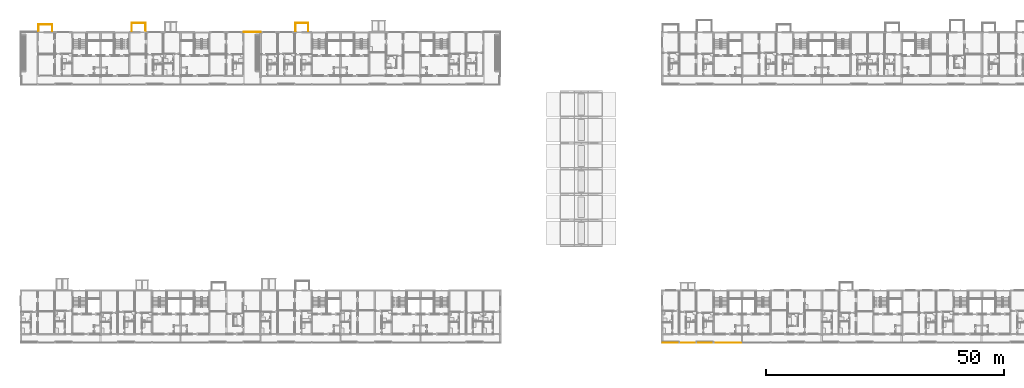
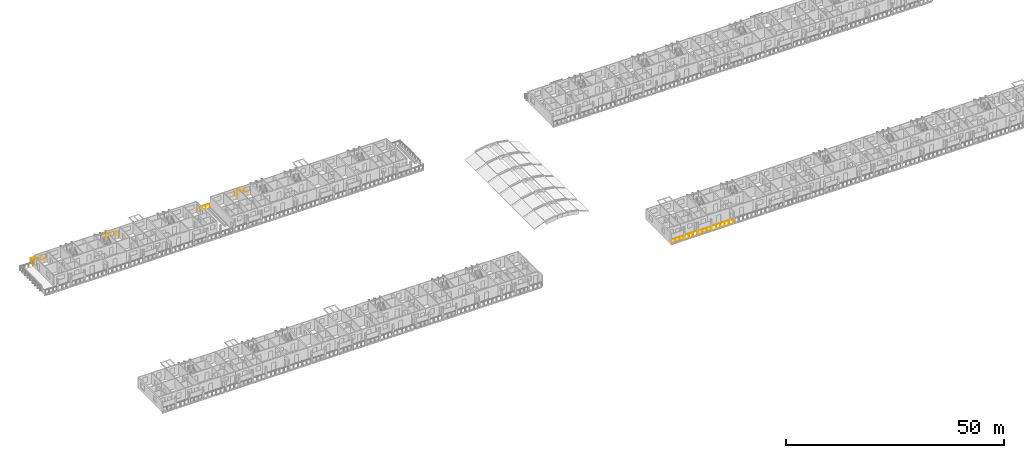
# One storey, part 81 of 93: 8 railings.
"""IFC4 building model written with IfcOpenShell, lengths in metres."""

from ifc_helpers import new_model, si_unit, direction, frame, origin, origin_2d, place, context, subcontext, project, spatial, circle, extrude, material, type_object, element, save


model = new_model("IFC4")

# Units and contexts
model_context = context("Model", 3, precision=1e-05, world=origin(), true_north=direction((0.0, 1.0)))
body_context = subcontext(model_context, "Body", "Model", "MODEL_VIEW")
ifc_project = project(units=[si_unit("LENGTHUNIT", "METRE"), si_unit("AREAUNIT", "SQUARE_METRE"), si_unit("VOLUMEUNIT", "CUBIC_METRE"), si_unit("PLANEANGLEUNIT", "RADIAN"), si_unit("MASSUNIT", "GRAM", prefix="KILO")], contexts=[model_context])

# Site, building, storey
site_placement = place(None, origin())
site = spatial("IfcSite", under=ifc_project, at=site_placement, CompositionType="ELEMENT")
building_placement = place(site_placement, origin())
building = spatial("IfcBuilding", under=site, at=building_placement, Name="Ridgestep Commons", CompositionType="ELEMENT")
storey_placement = place(building_placement, frame((0.0, 0.0, 18.0)))
storey = spatial("IfcBuildingStorey", under=building, at=storey_placement, Name="L06", CompositionType="ELEMENT", Elevation=18.0)

# Railings
ifc_material_1 = material(Name="Structural steel S355JR", Category="steel")
railing_type_1 = type_object("IfcRailingType", Name="Guard 1100", PredefinedType="GUARDRAIL", material=ifc_material_1)
railing_1_placement = place(storey_placement, frame((62.39990234375, 77.125, 0.0)))
element("IfcRailing", 1, at=railing_1_placement, inside=storey, type_object=railing_type_1, Name="Guard TD-B3R1-GD", PredefinedType="GUARDRAIL", context=body_context, shape_type="SweptSolid", body=[
    extrude(circle(Radius=0.02392578125, at=origin_2d()), frame((0.0, 0.0, 1.076171875), z_axis=(-1.0, 0.0, 0.0), x_axis=(0.0, -1.0, 0.0)), (0.0, 0.0, 1.0), 3.47900390625),
    extrude(circle(Radius=0.02099609375, at=origin_2d()), origin(), (0.0, 0.0, 1.0), 1.052001953125),
    extrude(circle(Radius=0.02099609375, at=origin_2d()), frame((-1.15966796875, 0.0, 0.0)), (0.0, 0.0, 1.0), 1.052001953125),
    extrude(circle(Radius=0.02099609375, at=origin_2d()), frame((-2.3193359375, 0.0, 0.0)), (0.0, 0.0, 1.0), 1.052001953125),
    extrude(circle(Radius=0.02099609375, at=origin_2d()), frame((-3.47900390625, 0.0, 0.0)), (0.0, 0.0, 1.0), 1.052001953125),
])
railing_2_placement = place(storey_placement, frame((146.970947265625, 11.800048828125, 0.0)))
element("IfcRailing", 2, at=railing_2_placement, inside=storey, type_object=railing_type_1, Name="Gallery guard D 06.1", PredefinedType="GUARDRAIL", context=body_context, shape_type="SweptSolid", body=[
    extrude(circle(Radius=0.02392578125, at=origin_2d()), frame((0.0, 0.0, 1.076171875), z_axis=(1.0, 0.0, 0.0), x_axis=(0.0, 1.0, 0.0)), (0.0, 0.0, 1.0), 3.282958984375),
    extrude(circle(Radius=0.02099609375, at=origin_2d()), origin(), (0.0, 0.0, 1.0), 1.052001953125),
    extrude(circle(Radius=0.02099609375, at=origin_2d()), frame((1.09423828125, 0.0, 0.0)), (0.0, 0.0, 1.0), 1.052001953125),
    extrude(circle(Radius=0.02099609375, at=origin_2d()), frame((2.188720703125, 0.0, 0.0)), (0.0, 0.0, 1.0), 1.052001953125),
    extrude(circle(Radius=0.02099609375, at=origin_2d()), frame((3.282958984375, 0.0, 0.0)), (0.0, 0.0, 1.0), 1.052001953125),
])
for number, where, name in (
    (3, (150.5458984375, 11.800048828125, 0.0), "Gallery guard D 06.2"),
    (4, (154.14599609375, 11.800048828125, 0.0), "Gallery guard D 06.3"),
):
    element("IfcRailing", number, at=place(storey_placement, frame(where)), inside=storey, type_object=railing_type_1, Name=name, PredefinedType="GUARDRAIL", context=body_context, shape_type="SweptSolid", body=[
        extrude(circle(Radius=0.02392578125, at=origin_2d()), frame((0.0, 0.0, 1.076171875), z_axis=(1.0, 0.0, 0.0), x_axis=(0.0, 1.0, 0.0)), (0.0, 0.0, 1.0), 3.30810546875),
        extrude(circle(Radius=0.02099609375, at=origin_2d()), origin(), (0.0, 0.0, 1.0), 1.052001953125),
        extrude(circle(Radius=0.02099609375, at=origin_2d()), frame((1.102783203125, 0.0, 0.0)), (0.0, 0.0, 1.0), 1.052001953125),
        extrude(circle(Radius=0.02099609375, at=origin_2d()), frame((2.205322265625, 0.0, 0.0)), (0.0, 0.0, 1.0), 1.052001953125),
        extrude(circle(Radius=0.02099609375, at=origin_2d()), frame((3.30810546875, 0.0, 0.0)), (0.0, 0.0, 1.0), 1.052001953125),
    ])
railing_3_placement = place(storey_placement, frame((157.74609375, 11.800048828125, 0.0)))
element("IfcRailing", 5, at=railing_3_placement, inside=storey, type_object=railing_type_1, Name="Gallery guard D 06.4", PredefinedType="GUARDRAIL", context=body_context, shape_type="SweptSolid", body=[
    extrude(circle(Radius=0.02392578125, at=origin_2d()), frame((0.0, 0.0, 1.076171875), z_axis=(1.0, 0.0, 0.0), x_axis=(0.0, 1.0, 0.0)), (0.0, 0.0, 1.0), 5.682861328125),
    extrude(circle(Radius=0.02099609375, at=origin_2d()), origin(), (0.0, 0.0, 1.0), 1.052001953125),
    extrude(circle(Radius=0.02099609375, at=origin_2d()), frame((1.136474609375, 0.0, 0.0)), (0.0, 0.0, 1.0), 1.052001953125),
    extrude(circle(Radius=0.02099609375, at=origin_2d()), frame((2.273193359375, 0.0, 0.0)), (0.0, 0.0, 1.0), 1.052001953125),
    extrude(circle(Radius=0.02099609375, at=origin_2d()), frame((3.40966796875, 0.0, 0.0)), (0.0, 0.0, 1.0), 1.052001953125),
    extrude(circle(Radius=0.02099609375, at=origin_2d()), frame((4.54638671875, 0.0, 0.0)), (0.0, 0.0, 1.0), 1.052001953125),
    extrude(circle(Radius=0.02099609375, at=origin_2d()), frame((5.682861328125, 0.0, 0.0)), (0.0, 0.0, 1.0), 1.052001953125),
])
ifc_material_2 = material(Name="Weathering steel S355J2W", Category="steel")
railing_type_2 = type_object("IfcRailingType", Name="Tray guard 1100", PredefinedType="GUARDRAIL", material=ifc_material_2)
railing_4_placement = place(storey_placement, frame((15.7509765625, 77.27099609375, 0.0)))
element("IfcRailing", 6, at=railing_4_placement, inside=storey, type_object=railing_type_2, Name="Tray guard B1T2-06", PredefinedType="GUARDRAIL", context=body_context, shape_type="SweptSolid", body=[
    extrude(circle(Radius=0.02392578125, at=origin_2d()), frame((0.0, 0.0, 1.076171875), z_axis=(0.0, 1.0, 0.0), x_axis=(-1.0, 0.0, 0.0)), (0.0, 0.0, 1.0), 1.4580078125),
    extrude(circle(Radius=0.02392578125, at=origin_2d()), frame((0.0, 1.4580078125, 1.076171875), z_axis=(1.0, 0.0, 0.0), x_axis=(0.0, 1.0, 0.0)), (0.0, 0.0, 1.0), 2.89794921875),
    extrude(circle(Radius=0.02392578125, at=origin_2d()), frame((2.89794921875, 1.4580078125, 1.076171875), z_axis=(0.0, -1.0, 0.0), x_axis=(1.0, 0.0, 0.0)), (0.0, 0.0, 1.0), 1.4580078125),
    extrude(circle(Radius=0.02099609375, at=origin_2d()), origin(), (0.0, 0.0, 1.0), 1.052001953125),
    extrude(circle(Radius=0.02099609375, at=origin_2d()), frame((0.0, 0.72900390625, 0.0)), (0.0, 0.0, 1.0), 1.052001953125),
    extrude(circle(Radius=0.02099609375, at=origin_2d()), frame((0.0, 1.4580078125, 0.0)), (0.0, 0.0, 1.0), 1.052001953125),
    extrude(circle(Radius=0.02099609375, at=origin_2d()), frame((0.966064453125, 1.4580078125, 0.0)), (0.0, 0.0, 1.0), 1.052001953125),
    extrude(circle(Radius=0.02099609375, at=origin_2d()), frame((1.931884765625, 1.4580078125, 0.0)), (0.0, 0.0, 1.0), 1.052001953125),
    extrude(circle(Radius=0.02099609375, at=origin_2d()), frame((2.89794921875, 1.4580078125, 0.0)), (0.0, 0.0, 1.0), 1.052001953125),
    extrude(circle(Radius=0.02099609375, at=origin_2d()), frame((2.89794921875, 0.72900390625, 0.0)), (0.0, 0.0, 1.0), 1.052001953125),
    extrude(circle(Radius=0.02099609375, at=origin_2d()), frame((2.89794921875, 0.0, 0.0)), (0.0, 0.0, 1.0), 1.052001953125),
])
railing_5_placement = place(storey_placement, frame((69.7509765625, 77.27099609375, 0.0)))
element("IfcRailing", 7, at=railing_5_placement, inside=storey, type_object=railing_type_2, Name="Tray guard B4T3-06", PredefinedType="GUARDRAIL", context=body_context, shape_type="SweptSolid", body=[
    extrude(circle(Radius=0.02392578125, at=origin_2d()), frame((0.0, 0.0, 1.076171875), z_axis=(0.0, 1.0, 0.0), x_axis=(-1.0, 0.0, 0.0)), (0.0, 0.0, 1.0), 1.758056640625),
    extrude(circle(Radius=0.02392578125, at=origin_2d()), frame((0.0, 1.758056640625, 1.076171875), z_axis=(1.0, 0.0, 0.0), x_axis=(0.0, 1.0, 0.0)), (0.0, 0.0, 1.0), 2.697998046875),
    extrude(circle(Radius=0.02392578125, at=origin_2d()), frame((2.697998046875, 1.758056640625, 1.076171875), z_axis=(0.0, -1.0, 0.0), x_axis=(1.0, 0.0, 0.0)), (0.0, 0.0, 1.0), 1.758056640625),
    extrude(circle(Radius=0.02099609375, at=origin_2d()), origin(), (0.0, 0.0, 1.0), 1.052001953125),
    extrude(circle(Radius=0.02099609375, at=origin_2d()), frame((0.0, 0.87890625, 0.0)), (0.0, 0.0, 1.0), 1.052001953125),
    extrude(circle(Radius=0.02099609375, at=origin_2d()), frame((0.0, 1.758056640625, 0.0)), (0.0, 0.0, 1.0), 1.052001953125),
    extrude(circle(Radius=0.02099609375, at=origin_2d()), frame((0.8994140625, 1.758056640625, 0.0)), (0.0, 0.0, 1.0), 1.052001953125),
    extrude(circle(Radius=0.02099609375, at=origin_2d()), frame((1.798583984375, 1.758056640625, 0.0)), (0.0, 0.0, 1.0), 1.052001953125),
    extrude(circle(Radius=0.02099609375, at=origin_2d()), frame((2.697998046875, 1.758056640625, 0.0)), (0.0, 0.0, 1.0), 1.052001953125),
    extrude(circle(Radius=0.02099609375, at=origin_2d()), frame((2.697998046875, 0.87890625, 0.0)), (0.0, 0.0, 1.0), 1.052001953125),
    extrude(circle(Radius=0.02099609375, at=origin_2d()), frame((2.697998046875, 0.0, 0.0)), (0.0, 0.0, 1.0), 1.052001953125),
])
railing_6_placement = place(storey_placement, frame((35.35107421875, 77.27099609375, 0.0)))
element("IfcRailing", 8, at=railing_6_placement, inside=storey, type_object=railing_type_2, Name="Tray guard B2T3-06", PredefinedType="GUARDRAIL", context=body_context, shape_type="SweptSolid", body=[
    extrude(circle(Radius=0.02392578125, at=origin_2d()), frame((0.0, 0.0, 1.076171875), z_axis=(0.0, 1.0, 0.0), x_axis=(-1.0, 0.0, 0.0)), (0.0, 0.0, 1.0), 1.758056640625),
    extrude(circle(Radius=0.02392578125, at=origin_2d()), frame((0.0, 1.758056640625, 1.076171875), z_axis=(1.0, 0.0, 0.0), x_axis=(0.0, 1.0, 0.0)), (0.0, 0.0, 1.0), 2.89794921875),
    extrude(circle(Radius=0.02392578125, at=origin_2d()), frame((2.89794921875, 1.758056640625, 1.076171875), z_axis=(0.0, -1.0, 0.0), x_axis=(1.0, 0.0, 0.0)), (0.0, 0.0, 1.0), 1.758056640625),
    extrude(circle(Radius=0.02099609375, at=origin_2d()), origin(), (0.0, 0.0, 1.0), 1.052001953125),
    extrude(circle(Radius=0.02099609375, at=origin_2d()), frame((0.0, 0.87890625, 0.0)), (0.0, 0.0, 1.0), 1.052001953125),
    extrude(circle(Radius=0.02099609375, at=origin_2d()), frame((0.0, 1.758056640625, 0.0)), (0.0, 0.0, 1.0), 1.052001953125),
    extrude(circle(Radius=0.02099609375, at=origin_2d()), frame((0.966064453125, 1.758056640625, 0.0)), (0.0, 0.0, 1.0), 1.052001953125),
    extrude(circle(Radius=0.02099609375, at=origin_2d()), frame((1.931884765625, 1.758056640625, 0.0)), (0.0, 0.0, 1.0), 1.052001953125),
    extrude(circle(Radius=0.02099609375, at=origin_2d()), frame((2.89794921875, 1.758056640625, 0.0)), (0.0, 0.0, 1.0), 1.052001953125),
    extrude(circle(Radius=0.02099609375, at=origin_2d()), frame((2.89794921875, 0.87890625, 0.0)), (0.0, 0.0, 1.0), 1.052001953125),
    extrude(circle(Radius=0.02099609375, at=origin_2d()), frame((2.89794921875, 0.0, 0.0)), (0.0, 0.0, 1.0), 1.052001953125),
])

save(model, "model.ifc")
